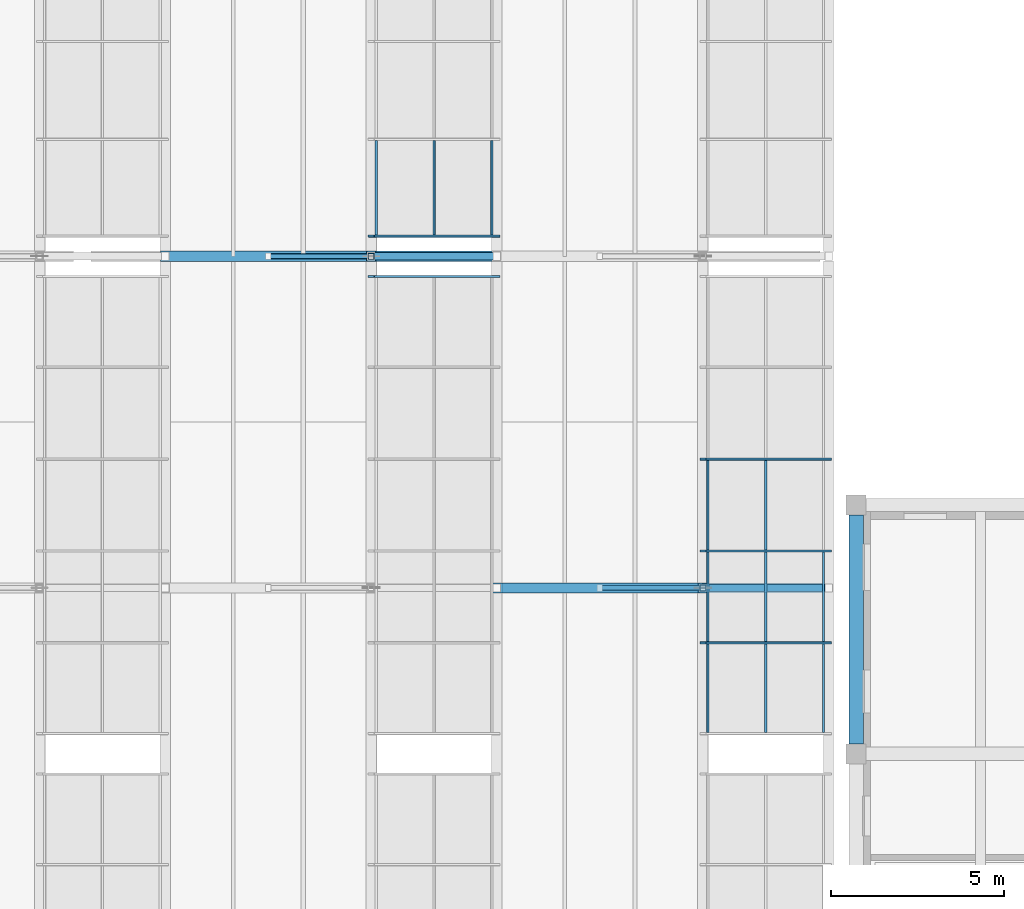
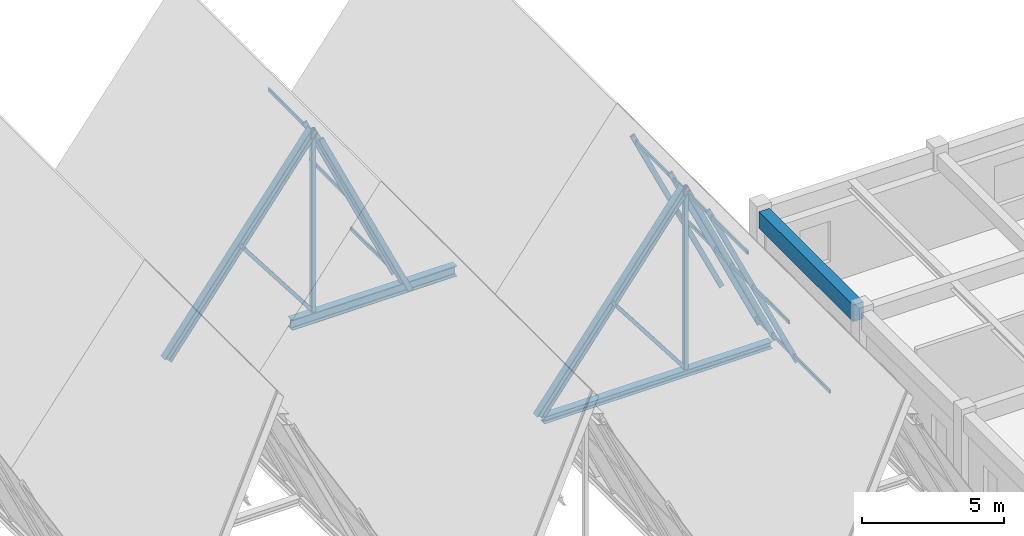
# One storey, part 23 of 99: 25 members, 2 beams, 3 elements without a shape of their own.
"""IFC4 building model written with IfcOpenShell, lengths in metres."""

from ifc_helpers import new_model, si_unit, direction, frame, origin, origin_2d, place, context, subcontext, project, spatial, rectangle, hollow_rectangle, hollow_circle, i_section, extrude, material, material_profile, profile_set, type_object, element, aggregate, save


model = new_model("IFC4")

# Units and contexts
model_context = context("Model", 3, precision=1e-05, world=origin(), true_north=direction((0.0, 1.0)))
body_context = subcontext(model_context, "Body", "Model", "MODEL_VIEW")
ifc_project = project(units=[si_unit("LENGTHUNIT", "METRE"), si_unit("AREAUNIT", "SQUARE_METRE"), si_unit("VOLUMEUNIT", "CUBIC_METRE"), si_unit("PLANEANGLEUNIT", "RADIAN"), si_unit("MASSUNIT", "GRAM", prefix="KILO")], contexts=[model_context])

# Site, building, storey
site_placement = place(None, origin())
site = spatial("IfcSite", under=ifc_project, at=site_placement, CompositionType="ELEMENT")
building_placement = place(site_placement, origin())
building = spatial("IfcBuilding", under=site, at=building_placement, Name="Bramveld Media Centre", CompositionType="ELEMENT")
storey_placement = place(building_placement, frame((0.0, 0.0, 13.800048828125)))
storey = spatial("IfcBuildingStorey", under=building, at=storey_placement, Name="L03", CompositionType="ELEMENT", Elevation=13.800048828125)

# Curtain wall, member
ifc_material_1 = material(Name="Thermally broken anodized bronze aluminium unitized curtain wall with solar-control triple glazing", Category="aluminium")
curtain_wall_type_1 = type_object("IfcCurtainWallType", Name="CW-SAW-13300x8606", PredefinedType="NOTDEFINED", material=ifc_material_1)
curtain_wall_1_placement = place(storey_placement, origin())
curtain_wall_1 = element("IfcCurtainWall", 1, at=curtain_wall_1_placement, inside=storey, type_object=curtain_wall_type_1, Name="V2 sawtooth north-light clerestory B5-S2", PredefinedType="NOTDEFINED")
ifc_material_2 = material(Name="Thermally broken anodized bronze aluminium EN AW-6063 T6 curtain-wall framing", Category="aluminium")
ifc_material_profile_1 = material_profile(ifc_material_2, hollow_rectangle(XDim=0.070068359375, YDim=0.199951171875, WallThickness=0.00439453125, InnerFilletRadius=0.00439453125, OuterFilletRadius=0.009033203125, at=origin_2d()), Name="AL-MULL 70x200")
ifc_profile_set_1 = profile_set([ifc_material_profile_1], Name="Thermally broken anodized bronze aluminium EN AW-6063 T6 curtain-wall framing")
member_type_1 = type_object("IfcMemberType", Name="CW-MULL-SLP", PredefinedType="MULLION", material=ifc_profile_set_1)
member_1_placement = place(storey_placement, frame((48.0, 28.215087890625, -0.02001953125), z_axis=(-0.423956992265, 0.0, 0.90568232218), x_axis=(0.0, -1.0, 0.0)))
member_1 = element("IfcMember", 2, at=member_1_placement, type_object=member_type_1, Name="CW-SA-13386 sloped mullion 6", PredefinedType="MULLION", context=body_context, shape_type="SweptSolid", body=[
    extrude(hollow_rectangle(XDim=0.070068359375, YDim=0.199951171875, WallThickness=0.00439453125, InnerFilletRadius=0.00439453125, OuterFilletRadius=0.009033203125, at=origin_2d()), origin(), (0.0, 0.0, 1.0), 8.5791015625),
])
aggregate(curtain_wall_1, [member_1])

ifc_material_3 = material(Name="Thermally broken anodized bronze aluminium unitized curtain wall with solar-control triple glazing", Category="aluminium")
curtain_wall_type_2 = type_object("IfcCurtainWallType", Name="CW-SAW-8500x8606", PredefinedType="NOTDEFINED", material=ifc_material_3)
curtain_wall_2_placement = place(storey_placement, origin())
curtain_wall_2 = element("IfcCurtainWall", 3, at=curtain_wall_2_placement, inside=storey, type_object=curtain_wall_type_2, Name="V2 sawtooth north-light clerestory B5-S3", PredefinedType="NOTDEFINED")
member_2_placement = place(storey_placement, frame((48.0, 29.385009765625, -0.02001953125), z_axis=(-0.423956992265, 0.0, 0.90568232218), x_axis=(0.0, -1.0, 0.0)))
member_2 = element("IfcMember", 4, at=member_2_placement, type_object=member_type_1, Name="CW-SA-8586 sloped mullion 1", PredefinedType="MULLION", context=body_context, shape_type="SweptSolid", body=[
    extrude(hollow_rectangle(XDim=0.070068359375, YDim=0.199951171875, WallThickness=0.00439453125, InnerFilletRadius=0.00439453125, OuterFilletRadius=0.009033203125, at=origin_2d()), origin(), (0.0, 0.0, 1.0), 8.5791015625),
])

# Curtain wall, members
curtain_wall_3_placement = place(storey_placement, origin())
curtain_wall_3 = element("IfcCurtainWall", 5, at=curtain_wall_3_placement, inside=storey, type_object=curtain_wall_type_1, Name="V2 sawtooth north-light clerestory B6-S2", PredefinedType="NOTDEFINED")
member_3_placement = place(storey_placement, frame((57.60009765625, 17.610107421875, -0.02001953125), z_axis=(-0.423956992265, 0.0, 0.90568232218), x_axis=(0.0, -1.0, 0.0)))
member_3 = element("IfcMember", 6, at=member_3_placement, type_object=member_type_1, Name="CW-SA-13386 sloped mullion 2", PredefinedType="MULLION", context=body_context, shape_type="SweptSolid", body=[
    extrude(hollow_rectangle(XDim=0.070068359375, YDim=0.199951171875, WallThickness=0.00439453125, InnerFilletRadius=0.00439453125, OuterFilletRadius=0.009033203125, at=origin_2d()), origin(), (0.0, 0.0, 1.0), 8.5791015625),
])
member_4_placement = place(storey_placement, frame((57.60009765625, 20.27001953125, -0.02001953125), z_axis=(-0.423956992265, 0.0, 0.90568232218), x_axis=(0.0, -1.0, 0.0)))
member_4 = element("IfcMember", 7, at=member_4_placement, type_object=member_type_1, Name="CW-SA-13386 sloped mullion 3", PredefinedType="MULLION", context=body_context, shape_type="SweptSolid", body=[
    extrude(hollow_rectangle(XDim=0.070068359375, YDim=0.199951171875, WallThickness=0.00439453125, InnerFilletRadius=0.00439453125, OuterFilletRadius=0.009033203125, at=origin_2d()), origin(), (0.0, 0.0, 1.0), 8.5791015625),
])
member_5_placement = place(storey_placement, frame((57.60009765625, 22.929931640625, -0.02001953125), z_axis=(-0.423956992265, 0.0, 0.90568232218), x_axis=(0.0, -1.0, 0.0)))
member_5 = element("IfcMember", 8, at=member_5_placement, type_object=member_type_1, Name="CW-SA-13386 sloped mullion 4", PredefinedType="MULLION", context=body_context, shape_type="SweptSolid", body=[
    extrude(hollow_rectangle(XDim=0.070068359375, YDim=0.199951171875, WallThickness=0.00439453125, InnerFilletRadius=0.00439453125, OuterFilletRadius=0.009033203125, at=origin_2d()), origin(), (0.0, 0.0, 1.0), 8.5791015625),
])

# Member
ifc_material_4 = material(Name="Thermally broken anodized bronze aluminium EN AW-6063 T6 curtain-wall framing", Category="aluminium")
ifc_material_profile_2 = material_profile(ifc_material_4, hollow_rectangle(XDim=0.070068359375, YDim=0.14990234375, WallThickness=0.00390625, InnerFilletRadius=0.00390625, OuterFilletRadius=0.008056640625, at=origin_2d()), Name="AL-TRAN 70x150")
ifc_profile_set_2 = profile_set([ifc_material_profile_2], Name="Thermally broken anodized bronze aluminium EN AW-6063 T6 curtain-wall framing")
member_type_2 = type_object("IfcMemberType", Name="CW-TRAN-SLP", PredefinedType="USERDEFINED", material=ifc_profile_set_2)
member_6_placement = place(storey_placement, frame((47.8544921875, 29.419921875, 0.290771484375), z_axis=(0.0, 1.0, 0.0), x_axis=(-1.0, 0.0, 0.0)))
member_6 = element("IfcMember", 9, at=member_6_placement, type_object=member_type_2, Name="CW-SA-8586 transom 1.1", ObjectType="TRANSOM", PredefinedType="USERDEFINED", context=body_context, shape_type="SweptSolid", body=[
    extrude(hollow_rectangle(XDim=0.070068359375, YDim=0.14990234375, WallThickness=0.00390625, InnerFilletRadius=0.00390625, OuterFilletRadius=0.008056640625, at=origin_2d()), origin(), (0.0, 0.0, 1.0), 2.728271484375),
])

member_7_placement = place(storey_placement, frame((46.181396484375, 29.419921875, 3.864990234375), z_axis=(0.0, 1.0, 0.0), x_axis=(-1.0, 0.0, 0.0)))
member_7 = element("IfcMember", 10, at=member_7_placement, type_object=member_type_2, Name="CW-SA-8586 transom 1.2", ObjectType="TRANSOM", PredefinedType="USERDEFINED", context=body_context, shape_type="SweptSolid", body=[
    extrude(hollow_rectangle(XDim=0.070068359375, YDim=0.14990234375, WallThickness=0.00390625, InnerFilletRadius=0.00390625, OuterFilletRadius=0.008056640625, at=origin_2d()), origin(), (0.0, 0.0, 1.0), 2.728271484375),
])

member_8_placement = place(storey_placement, frame((44.50830078125, 29.419921875, 7.439208984375), z_axis=(0.0, 1.0, 0.0), x_axis=(-1.0, 0.0, 0.0)))
member_8 = element("IfcMember", 11, at=member_8_placement, type_object=member_type_2, Name="CW-SA-8586 transom 1.3", ObjectType="TRANSOM", PredefinedType="USERDEFINED", context=body_context, shape_type="SweptSolid", body=[
    extrude(hollow_rectangle(XDim=0.070068359375, YDim=0.14990234375, WallThickness=0.00390625, InnerFilletRadius=0.00390625, OuterFilletRadius=0.008056640625, at=origin_2d()), origin(), (0.0, 0.0, 1.0), 2.728271484375),
])

aggregate(curtain_wall_2, [member_2, member_6, member_7, member_8])

member_9_placement = place(storey_placement, frame((57.45458984375, 15.02001953125, 0.290771484375), z_axis=(0.0, 1.0, 0.0), x_axis=(-1.0, 0.0, 0.0)))
member_9 = element("IfcMember", 12, at=member_9_placement, type_object=member_type_2, Name="CW-SA-13386 transom 1.1", ObjectType="TRANSOM", PredefinedType="USERDEFINED", context=body_context, shape_type="SweptSolid", body=[
    extrude(hollow_rectangle(XDim=0.070068359375, YDim=0.14990234375, WallThickness=0.00390625, InnerFilletRadius=0.00390625, OuterFilletRadius=0.008056640625, at=origin_2d()), origin(), (0.0, 0.0, 1.0), 2.554931640625),
])

member_10_placement = place(storey_placement, frame((55.781494140625, 15.02001953125, 3.864990234375), z_axis=(0.0, 1.0, 0.0), x_axis=(-1.0, 0.0, 0.0)))
member_10 = element("IfcMember", 13, at=member_10_placement, type_object=member_type_2, Name="CW-SA-13386 transom 1.2", ObjectType="TRANSOM", PredefinedType="USERDEFINED", context=body_context, shape_type="SweptSolid", body=[
    extrude(hollow_rectangle(XDim=0.070068359375, YDim=0.14990234375, WallThickness=0.00390625, InnerFilletRadius=0.00390625, OuterFilletRadius=0.008056640625, at=origin_2d()), origin(), (0.0, 0.0, 1.0), 2.554931640625),
])

member_11_placement = place(storey_placement, frame((54.1083984375, 15.02001953125, 7.439208984375), z_axis=(0.0, 1.0, 0.0), x_axis=(-1.0, 0.0, 0.0)))
member_11 = element("IfcMember", 14, at=member_11_placement, type_object=member_type_2, Name="CW-SA-13386 transom 1.3", ObjectType="TRANSOM", PredefinedType="USERDEFINED", context=body_context, shape_type="SweptSolid", body=[
    extrude(hollow_rectangle(XDim=0.070068359375, YDim=0.14990234375, WallThickness=0.00390625, InnerFilletRadius=0.00390625, OuterFilletRadius=0.008056640625, at=origin_2d()), origin(), (0.0, 0.0, 1.0), 2.554931640625),
])

member_12_placement = place(storey_placement, frame((57.45458984375, 17.64501953125, 0.290771484375), z_axis=(0.0, 1.0, 0.0), x_axis=(-1.0, 0.0, 0.0)))
member_12 = element("IfcMember", 15, at=member_12_placement, type_object=member_type_2, Name="CW-SA-13386 transom 2.1", ObjectType="TRANSOM", PredefinedType="USERDEFINED", context=body_context, shape_type="SweptSolid", body=[
    extrude(hollow_rectangle(XDim=0.070068359375, YDim=0.14990234375, WallThickness=0.00390625, InnerFilletRadius=0.00390625, OuterFilletRadius=0.008056640625, at=origin_2d()), origin(), (0.0, 0.0, 1.0), 2.590087890625),
])

member_13_placement = place(storey_placement, frame((55.781494140625, 17.64501953125, 3.864990234375), z_axis=(0.0, 1.0, 0.0), x_axis=(-1.0, 0.0, 0.0)))
member_13 = element("IfcMember", 16, at=member_13_placement, type_object=member_type_2, Name="CW-SA-13386 transom 2.2", ObjectType="TRANSOM", PredefinedType="USERDEFINED", context=body_context, shape_type="SweptSolid", body=[
    extrude(hollow_rectangle(XDim=0.070068359375, YDim=0.14990234375, WallThickness=0.00390625, InnerFilletRadius=0.00390625, OuterFilletRadius=0.008056640625, at=origin_2d()), origin(), (0.0, 0.0, 1.0), 2.590087890625),
])

member_14_placement = place(storey_placement, frame((54.1083984375, 17.64501953125, 7.439208984375), z_axis=(0.0, 1.0, 0.0), x_axis=(-1.0, 0.0, 0.0)))
member_14 = element("IfcMember", 17, at=member_14_placement, type_object=member_type_2, Name="CW-SA-13386 transom 2.3", ObjectType="TRANSOM", PredefinedType="USERDEFINED", context=body_context, shape_type="SweptSolid", body=[
    extrude(hollow_rectangle(XDim=0.070068359375, YDim=0.14990234375, WallThickness=0.00390625, InnerFilletRadius=0.00390625, OuterFilletRadius=0.008056640625, at=origin_2d()), origin(), (0.0, 0.0, 1.0), 2.590087890625),
])

member_15_placement = place(storey_placement, frame((55.781494140625, 20.304931640625, 3.864990234375), z_axis=(0.0, 1.0, 0.0), x_axis=(-1.0, 0.0, 0.0)))
member_15 = element("IfcMember", 18, at=member_15_placement, type_object=member_type_2, Name="CW-SA-13386 transom 3.2", ObjectType="TRANSOM", PredefinedType="USERDEFINED", context=body_context, shape_type="SweptSolid", body=[
    extrude(hollow_rectangle(XDim=0.070068359375, YDim=0.14990234375, WallThickness=0.00390625, InnerFilletRadius=0.00390625, OuterFilletRadius=0.008056640625, at=origin_2d()), origin(), (0.0, 0.0, 1.0), 2.590087890625),
])

member_16_placement = place(storey_placement, frame((54.1083984375, 20.304931640625, 7.439208984375), z_axis=(0.0, 1.0, 0.0), x_axis=(-1.0, 0.0, 0.0)))
member_16 = element("IfcMember", 19, at=member_16_placement, type_object=member_type_2, Name="CW-SA-13386 transom 3.3", ObjectType="TRANSOM", PredefinedType="USERDEFINED", context=body_context, shape_type="SweptSolid", body=[
    extrude(hollow_rectangle(XDim=0.070068359375, YDim=0.14990234375, WallThickness=0.00390625, InnerFilletRadius=0.00390625, OuterFilletRadius=0.008056640625, at=origin_2d()), origin(), (0.0, 0.0, 1.0), 2.590087890625),
])

aggregate(curtain_wall_3, [member_3, member_4, member_5, member_9, member_10, member_11, member_12, member_13, member_14, member_15, member_16])

# Members
ifc_material_5 = material(Name="Steel S355J2H", Category="steel")
ifc_material_profile_3 = material_profile(ifc_material_5, hollow_circle(Radius=0.109619140625, WallThickness=0.012451171875, at=origin_2d()), Name="CHS 219.1x12.5")
ifc_profile_set_3 = profile_set([ifc_material_profile_3], Name="Steel S355J2H")
member_type_3 = type_object("IfcMemberType", Name="MEM-BRACE-CHS219", PredefinedType="BRACE", material=ifc_profile_set_3)
for number, where, z_axis, x_axis, name in (
    (20, (48.0, 28.800048828125, 0.0), (-0.422616785161, 0.0, 0.906308475575), (0.0, -1.0, 0.0), "TRUSS-V2-B05-F4 north-light strut"),
    (21, (57.60009765625, 19.199951171875, 0.0), (-0.422616785161, 0.0, 0.906308475575), (0.0, -1.0, 0.0), "TRUSS-V2-B06-F3 north-light strut"),
):
    element("IfcMember", number, at=place(storey_placement, frame(where, z_axis=z_axis, x_axis=x_axis)), inside=storey, type_object=member_type_3, Name=name, PredefinedType="BRACE", context=body_context, shape_type="SweptSolid", body=[
        extrude(hollow_circle(Radius=0.109619140625, WallThickness=0.012451171875, at=origin_2d()), origin(), (0.0, 0.0, 1.0), 8.6064453125),
    ])
ifc_material_6 = material(Name="Steel S355J2H", Category="steel")
ifc_material_profile_4 = material_profile(ifc_material_6, hollow_rectangle(XDim=0.14990234375, YDim=0.14990234375, WallThickness=0.010009765625, InnerFilletRadius=0.010009765625, OuterFilletRadius=0.02001953125, at=origin_2d()), Name="SHS 150x150x10")
ifc_profile_set_4 = profile_set([ifc_material_profile_4], Name="Steel S355J2H")
member_type_4 = type_object("IfcMemberType", Name="MEM-BRACE-SHS150", PredefinedType="BRACE", material=ifc_profile_set_4)
for number, where, z_axis, x_axis, name in (
    (22, (44.36279296875, 28.800048828125, 0.0), (-0.607343034298, 0.0, 0.794439701104), (0.0, -1.0, 0.0), "TRUSS-V2-B05-F4 web diagonal"),
    (23, (53.962890625, 19.199951171875, 0.0), (-0.607343034298, 0.0, 0.794439701104), (0.0, -1.0, 0.0), "TRUSS-V2-B06-F3 web diagonal"),
):
    element("IfcMember", number, at=place(storey_placement, frame(where, z_axis=z_axis, x_axis=x_axis)), inside=storey, type_object=member_type_4, Name=name, PredefinedType="BRACE", context=body_context, shape_type="SweptSolid", body=[
        extrude(hollow_rectangle(XDim=0.14990234375, YDim=0.14990234375, WallThickness=0.010009765625, InnerFilletRadius=0.010009765625, OuterFilletRadius=0.02001953125, at=origin_2d()), origin(), (0.0, 0.0, 1.0), 4.908935546875),
    ])
ifc_material_7 = material(Name="Steel S355J2", Category="steel")
ifc_material_profile_5 = material_profile(ifc_material_7, i_section(OverallWidth=0.300048828125, OverallDepth=0.2900390625, WebThickness=0.008544921875, FlangeThickness=0.013916015625, FilletRadius=0.027099609375, at=origin_2d()), Name="HEA 300")
ifc_profile_set_5 = profile_set([ifc_material_profile_5], Name="Steel S355J2")
member_type_5 = type_object("IfcMemberType", Name="MEM-CHORD-HEA300", PredefinedType="CHORD", material=ifc_profile_set_5)
member_17_placement = place(storey_placement, frame((48.159912109375, 19.199951171875, -0.14501953125), z_axis=(1.0, 0.0, 0.0), x_axis=(0.0, 1.0, 0.0)))
element("IfcMember", 24, at=member_17_placement, inside=storey, type_object=member_type_5, Name="TRUSS-V2-B06-F3 bottom tie chord", PredefinedType="CHORD", context=body_context, shape_type="SweptSolid", body=[
    extrude(i_section(OverallWidth=0.300048828125, OverallDepth=0.2900390625, WebThickness=0.008544921875, FlangeThickness=0.013916015625, FilletRadius=0.027099609375, at=origin_2d()), origin(), (0.0, 0.0, 1.0), 9.280029296875),
])
ifc_material_8 = material(Name="Steel S355J2", Category="steel")
ifc_material_profile_6 = material_profile(ifc_material_8, i_section(OverallWidth=0.300048828125, OverallDepth=0.340087890625, WebThickness=0.011962890625, FlangeThickness=0.021484375, FilletRadius=0.027099609375, at=origin_2d()), Name="HEB 340")
ifc_profile_set_6 = profile_set([ifc_material_profile_6], Name="Steel S355J2")
member_type_6 = type_object("IfcMemberType", Name="MEM-CHORD-HEB340", PredefinedType="CHORD", material=ifc_profile_set_6)
for number, where, z_axis, x_axis, name in (
    (25, (38.39990234375, 28.800048828125, 0.0), (0.607331036372, 0.0, 0.794448873282), (0.0, 1.0, 0.0), "TRUSS-V2-B05-F4 top rafter chord"),
    (26, (48.0, 19.199951171875, 0.0), (0.607331036372, 0.0, 0.794448873282), (0.0, 1.0, 0.0), "TRUSS-V2-B06-F3 top rafter chord"),
):
    element("IfcMember", number, at=place(storey_placement, frame(where, z_axis=z_axis, x_axis=x_axis)), inside=storey, type_object=member_type_6, Name=name, PredefinedType="CHORD", context=body_context, shape_type="SweptSolid", body=[
        extrude(i_section(OverallWidth=0.300048828125, OverallDepth=0.340087890625, WebThickness=0.011962890625, FlangeThickness=0.021484375, FilletRadius=0.027099609375, at=origin_2d()), origin(), (0.0, 0.0, 1.0), 9.818115234375),
    ])
ifc_material_9 = material(Name="Steel S355J2H", Category="steel")
ifc_material_profile_7 = material_profile(ifc_material_9, hollow_rectangle(XDim=0.179931640625, YDim=0.179931640625, WallThickness=0.010009765625, InnerFilletRadius=0.010009765625, OuterFilletRadius=0.02001953125, at=origin_2d()), Name="SHS 180x180x10")
ifc_profile_set_7 = profile_set([ifc_material_profile_7], Name="Steel S355J2H")
member_type_7 = type_object("IfcMemberType", Name="MEM-POST-SHS180", PredefinedType="POST", material=ifc_profile_set_7)
for number, where, z_axis, x_axis, name in (
    (27, (44.36279296875, 28.800048828125, 0.0), (0.0, 0.0, 1.0), (1.0, 0.0, 0.0), "TRUSS-V2-B05-F4 kingpost"),
    (28, (53.962890625, 19.199951171875, 0.0), (0.0, 0.0, 1.0), (1.0, 0.0, 0.0), "TRUSS-V2-B06-F3 kingpost"),
):
    element("IfcMember", number, at=place(storey_placement, frame(where, z_axis=z_axis, x_axis=x_axis)), inside=storey, type_object=member_type_7, Name=name, PredefinedType="POST", context=body_context, shape_type="SweptSolid", body=[
        extrude(hollow_rectangle(XDim=0.179931640625, YDim=0.179931640625, WallThickness=0.010009765625, InnerFilletRadius=0.010009765625, OuterFilletRadius=0.02001953125, at=origin_2d()), origin(), (0.0, 0.0, 1.0), 7.800048828125),
    ])

# Beams
ifc_material_10 = material(Name="Steel S355J2", Category="steel")
ifc_material_profile_8 = material_profile(ifc_material_10, i_section(OverallWidth=0.300048828125, OverallDepth=0.449951171875, WebThickness=0.013916015625, FlangeThickness=0.02587890625, FilletRadius=0.027099609375, at=origin_2d()), Name="HEB 450")
ifc_profile_set_8 = profile_set([ifc_material_profile_8], Name="Steel S355J2")
beam_type_1 = type_object("IfcBeamType", Name="SBM-INT-HEB-450", PredefinedType="BEAM", material=ifc_profile_set_8)
beam_1_placement = place(storey_placement, frame((43.449951171875, 28.800048828125, -0.22509765625), z_axis=(1.0, 0.0, 0.0), x_axis=(0.0, 1.0, 0.0)))
element("IfcBeam", 29, at=beam_1_placement, inside=storey, type_object=beam_type_1, Name="V2 sawtooth tie girder", PredefinedType="BEAM", context=body_context, shape_type="SweptSolid", body=[
    extrude(i_section(OverallWidth=0.300048828125, OverallDepth=0.449951171875, WebThickness=0.013916015625, FlangeThickness=0.02587890625, FilletRadius=0.027099609375, at=origin_2d()), origin(), (0.0, 0.0, 1.0), 6.699951171875),
])
ifc_material_11 = material(Name="Concrete C40/50", Category="concrete")
ifc_material_profile_9 = material_profile(ifc_material_11, rectangle(XDim=0.419921875, YDim=0.719970703125, at=origin_2d()), Name="RC 420x720")
ifc_profile_set_9 = profile_set([ifc_material_profile_9], Name="Concrete C40/50")
beam_type_2 = type_object("IfcBeamType", Name="SPANDREL-EXT-RC-420x720", PredefinedType="SPANDREL", material=ifc_profile_set_9)
beam_2_placement = place(storey_placement, frame((58.39990234375, 14.68994140625, 3.599853515625), z_axis=(0.0, 1.0, 0.0), x_axis=(-1.0, 0.0, 0.0)))
element("IfcBeam", 30, at=beam_2_placement, inside=storey, type_object=beam_type_2, Name="V5 L03 girder Y-849", PredefinedType="SPANDREL", context=body_context, shape_type="SweptSolid", body=[
    extrude(rectangle(XDim=0.419921875, YDim=0.719970703125, at=origin_2d()), origin(), (0.0, 0.0, 1.0), 6.6201171875),
])

save(model, "model.ifc")
